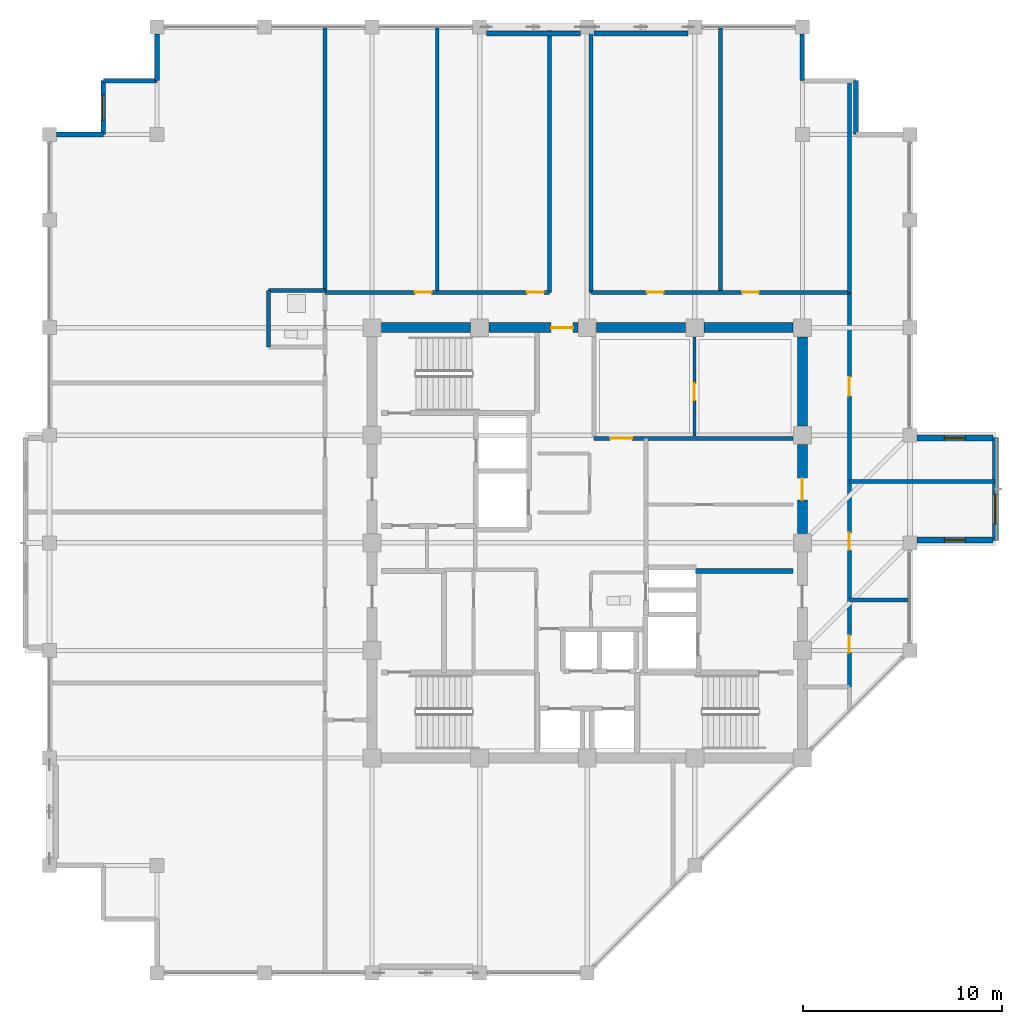
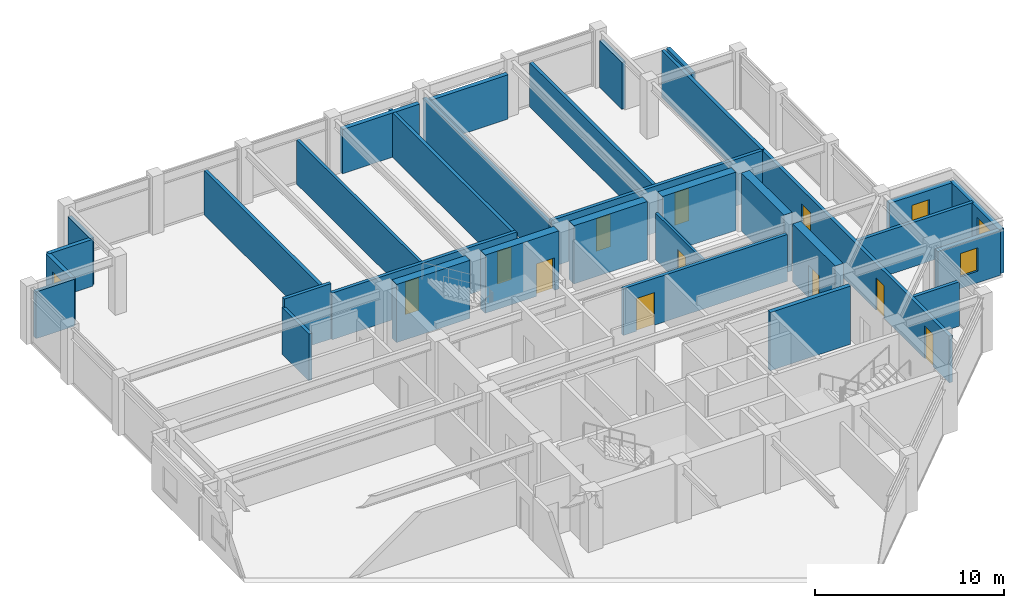
# One storey, part 26 of 30: 33 walls, 11 doors, 4 windows, 15 openings.
"""IFC4 building model written with IfcOpenShell, lengths in metres."""

from ifc_helpers import new_model, si_unit, direction, frame, frame_2d, origin, place, context, subcontext, project, spatial, rectangle, extrude, material, layer, layer_set, type_object, element, fill, save


model = new_model("IFC4")

# Units and contexts
model_context = context("Model", 3, precision=1e-05, world=origin(), true_north=direction((0.0, 1.0)))
body_context = subcontext(model_context, "Body", "Model", "MODEL_VIEW")
ifc_project = project(units=[si_unit("LENGTHUNIT", "METRE"), si_unit("AREAUNIT", "SQUARE_METRE"), si_unit("VOLUMEUNIT", "CUBIC_METRE"), si_unit("PLANEANGLEUNIT", "RADIAN"), si_unit("MASSUNIT", "GRAM", prefix="KILO")], contexts=[model_context])

# Site, building, storey
site_placement = place(None, origin())
site = spatial("IfcSite", under=ifc_project, at=site_placement, CompositionType="ELEMENT")
building_placement = place(site_placement, origin())
building = spatial("IfcBuilding", under=site, at=building_placement, Name="Surkhivell Harbour Commons", CompositionType="ELEMENT")
storey_placement = place(building_placement, frame((0.0, 0.0, 303.75)))
storey = spatial("IfcBuildingStorey", under=building, at=storey_placement, Name="L79", CompositionType="ELEMENT", Elevation=303.75)

# Wall
ifc_material_1 = material(Name="Concrete C50/60", Category="concrete")
ifc_layer_1 = layer(ifc_material_1, 0.5)
ifc_layer_set_1 = layer_set([ifc_layer_1], Name="Concrete C50/60")
wall_type_1 = type_object("IfcWallType", Name="WAL-CORE-500", PredefinedType="SHEAR", material=ifc_layer_set_1)
wall_1_placement = place(storey_placement, frame((-10.340087890625, 10.800048828125, 0.0), z_axis=(0.0, 0.0, 1.0), x_axis=(1.0, 0.0, 0.0)))
element("IfcWall", 1, at=wall_1_placement, inside=storey, type_object=wall_type_1, Name="L79 Core Shear Wall North 1", PredefinedType="SHEAR", context=body_context, shape_type="SweptSolid", body=[
    extrude(rectangle(XDim=4.47998046875, YDim=0.5, at=frame_2d((2.239990234375, 0.0))), origin(), (0.0, 0.0, 1.0), 3.75),
])

# Wall, opening, door
wall_2_placement = place(storey_placement, frame((-4.93994140625, 10.800048828125, 0.0), z_axis=(0.0, 0.0, 1.0), x_axis=(1.0, 0.0, 0.0)))
wall_2 = element("IfcWall", 2, at=wall_2_placement, inside=storey, type_object=wall_type_1, Name="L79 Core Shear Wall North 2", PredefinedType="SHEAR", context=body_context, shape_type="SweptSolid", body=[
    extrude(rectangle(XDim=4.47998046875, YDim=0.5, at=frame_2d((2.239990234375, 0.0))), origin(), (0.0, 0.0, 1.0), 3.75),
])
opening_1_placement = place(wall_2_placement, frame((3.1298828125, 0.0, 0.0)))
opening_1 = element("IfcOpeningElement", 3, at=opening_1_placement, cuts=wall_2, Name="Opening ID-2", PredefinedType="OPENING", context=body_context, shape_type="SweptSolid", body=[
    extrude(rectangle(XDim=1.10009765625, YDim=2.10009765625, at=frame_2d((0.550048828125, 1.050048828125))), frame((0.0, 0.260009765625, 0.0), z_axis=(0.0, -1.0, 0.0), x_axis=(1.0, 0.0, 0.0)), (0.0, 0.0, 1.0), 0.52001953125),
])
ifc_material_2 = material(Name="Hardwood-veneered fire-rated door leaf", Category="wood")
door_type_1 = type_object("IfcDoorType", Name="DOR-FD60-1100", OperationType="NOTDEFINED", PredefinedType="DOOR", material=ifc_material_2)
door_1_placement = place(opening_1_placement, origin())
door_1 = element("IfcDoor", 4, at=door_1_placement, inside=storey, type_object=door_type_1, Name="L79 Central Core Lift Hall North Corridor Door", OperationType="SINGLE_SWING_LEFT", OverallHeight=2.10009765625, OverallWidth=1.10009765625, PredefinedType="DOOR", context=body_context, shape_type="SweptSolid", body=[
    extrude(rectangle(XDim=1.10009765625, YDim=2.10009765625, at=frame_2d((0.550048828125, 1.050048828125))), frame((0.0, 0.02490234375, 0.0), z_axis=(0.0, -1.0, 0.0), x_axis=(1.0, 0.0, 0.0)), (0.0, 0.0, 1.0), 0.050048828125),
])
fill(opening_1, door_1)

# Wall
wall_3_placement = place(storey_placement, frame((0.4599609375, 10.800048828125, 0.0), z_axis=(0.0, 0.0, 1.0), x_axis=(1.0, 0.0, 0.0)))
element("IfcWall", 5, at=wall_3_placement, inside=storey, type_object=wall_type_1, Name="L79 Core Shear Wall North 3", PredefinedType="SHEAR", context=body_context, shape_type="SweptSolid", body=[
    extrude(rectangle(XDim=4.47998046875, YDim=0.5, at=frame_2d((2.239990234375, 0.0))), origin(), (0.0, 0.0, 1.0), 3.75),
])

# Wall, opening, door
wall_4_placement = place(storey_placement, frame((10.800048828125, 0.4599609375, 0.0), z_axis=(0.0, 0.0, 1.0), x_axis=(0.0, 1.0, 0.0)))
wall_4 = element("IfcWall", 6, at=wall_4_placement, inside=storey, type_object=wall_type_1, Name="L79 Core Shear Wall East 3", PredefinedType="SHEAR", context=body_context, shape_type="SweptSolid", body=[
    extrude(rectangle(XDim=4.47998046875, YDim=0.5, at=frame_2d((2.239990234375, 0.0))), origin(), (0.0, 0.0, 1.0), 3.75),
])
opening_2_placement = place(wall_4_placement, frame((1.68994140625, 0.0, 0.0)))
opening_2 = element("IfcOpeningElement", 7, at=opening_2_placement, cuts=wall_4, Name="Opening ID-2", PredefinedType="OPENING", context=body_context, shape_type="SweptSolid", body=[
    extrude(rectangle(XDim=1.10009765625, YDim=2.10009765625, at=frame_2d((0.550048828125, 1.050048828125))), frame((0.0, 0.260009765625, 0.0), z_axis=(0.0, -1.0, 0.0), x_axis=(1.0, 0.0, 0.0)), (0.0, 0.0, 1.0), 0.52001953125),
])
door_2_placement = place(opening_2_placement, origin())
door_2 = element("IfcDoor", 8, at=door_2_placement, inside=storey, type_object=door_type_1, Name="L79 Media Lounge East Door", OperationType="SINGLE_SWING_RIGHT", OverallHeight=2.10009765625, OverallWidth=1.10009765625, PredefinedType="DOOR", context=body_context, shape_type="SweptSolid", body=[
    extrude(rectangle(XDim=1.10009765625, YDim=2.10009765625, at=frame_2d((0.550048828125, 1.050048828125))), frame((0.0, 0.02490234375, 0.0), z_axis=(0.0, -1.0, 0.0), x_axis=(1.0, 0.0, 0.0)), (0.0, 0.0, 1.0), 0.050048828125),
])
fill(opening_2, door_2)

# Walls
for number, where, z_axis, x_axis, name in (
    (9, (5.860107421875, 10.800048828125, 0.0), (0.0, 0.0, 1.0), (1.0, 0.0, 0.0), "L79 Core Shear Wall North 4"),
    (10, (10.800048828125, 5.860107421875, 0.0), (0.0, 0.0, 1.0), (0.0, 1.0, 0.0), "L79 Core Shear Wall East 4"),
):
    element("IfcWall", number, at=place(storey_placement, frame(where, z_axis=z_axis, x_axis=x_axis)), inside=storey, type_object=wall_type_1, Name=name, PredefinedType="SHEAR", context=body_context, shape_type="SweptSolid", body=[
        extrude(rectangle(XDim=4.47998046875, YDim=0.5, at=frame_2d((2.239990234375, 0.0))), origin(), (0.0, 0.0, 1.0), 3.75),
    ])

# Wall, opening, window
ifc_material_3 = material(Name="Flemish-bond kiln brick and precast concrete C45/55", Category="masonry")
ifc_layer_2 = layer(ifc_material_3, 0.300048828125)
ifc_layer_set_2 = layer_set([ifc_layer_2], Name="Flemish-bond kiln brick and precast concrete C45/55")
wall_type_2 = type_object("IfcWallType", Name="WAL-EXT-BRK300", PredefinedType="STANDARD", material=ifc_layer_set_2)
wall_5_placement = place(storey_placement, frame((20.5, 0.1201171875, 0.0), z_axis=(0.0, 0.0, 1.0), x_axis=(0.0, 1.0, 0.0)))
wall_5 = element("IfcWall", 11, at=wall_5_placement, inside=storey, type_object=wall_type_2, Name="L79 Coloured Box Front Wall 01", PredefinedType="STANDARD", context=body_context, shape_type="SweptSolid", body=[
    extrude(rectangle(XDim=5.159912109375, YDim=0.300048828125, at=frame_2d((2.580078125, 0.0))), origin(), (0.0, 0.0, 1.0), 2.85693359375),
])
opening_3_placement = place(wall_5_placement, frame((0.81494140625, 0.0, 0.75)))
opening_3 = element("IfcOpeningElement", 12, at=opening_3_placement, cuts=wall_5, Name="Opening WN-13", PredefinedType="OPENING", context=body_context, shape_type="SweptSolid", body=[
    extrude(rectangle(XDim=1.5, YDim=1.5, at=frame_2d((0.75, 0.75))), frame((0.0, 0.159912109375, 0.0), z_axis=(0.0, -1.0, 0.0), x_axis=(1.0, 0.0, 0.0)), (0.0, 0.0, 1.0), 0.320068359375),
])
ifc_material_4 = material(Name="Thermal-break aluminium frame and double low-E glazing", Category="aluminium")
window_type_1 = type_object("IfcWindowType", Name="WIN-BOX-1500x1500", PartitioningType="SINGLE_PANEL", PredefinedType="WINDOW", material=ifc_material_4)
window_1_placement = place(opening_3_placement, origin())
window_1 = element("IfcWindow", 13, at=window_1_placement, inside=storey, type_object=window_type_1, Name="L79 Coloured Box Square Window 01-1", OverallHeight=1.5, OverallWidth=1.5, PartitioningType="SINGLE_PANEL", PredefinedType="WINDOW", context=body_context, shape_type="SweptSolid", body=[
    extrude(rectangle(XDim=1.5, YDim=1.5, at=frame_2d((0.75, 0.75))), frame((0.0, 0.030029296875, 0.0), z_axis=(0.0, -1.0, 0.0), x_axis=(1.0, 0.0, 0.0)), (0.0, 0.0, 1.0), 0.06005859375),
])
fill(opening_3, window_1)

wall_6_placement = place(storey_placement, frame((16.553955078125, 0.139892578125, 0.0), z_axis=(0.0, 0.0, 1.0), x_axis=(1.0, 0.0, 0.0)))
wall_6 = element("IfcWall", 14, at=wall_6_placement, inside=storey, type_object=wall_type_2, Name="L79 Coloured Box Return Wall 01S", PredefinedType="STANDARD", context=body_context, shape_type="SweptSolid", body=[
    extrude(rectangle(XDim=3.80615234375, YDim=0.300048828125, at=frame_2d((1.903076171875, 0.0))), origin(), (0.0, 0.0, 1.0), 2.85693359375),
])
opening_4_placement = place(wall_6_placement, frame((1.3779296875, 0.0, 0.75)))
opening_4 = element("IfcOpeningElement", 15, at=opening_4_placement, cuts=wall_6, Name="Opening WN-11", PredefinedType="OPENING", context=body_context, shape_type="SweptSolid", body=[
    extrude(rectangle(XDim=1.050048828125, YDim=1.5, at=frame_2d((0.52490234375, 0.75))), frame((0.0, 0.159912109375, 0.0), z_axis=(0.0, -1.0, 0.0), x_axis=(1.0, 0.0, 0.0)), (0.0, 0.0, 1.0), 0.320068359375),
])
window_type_2 = type_object("IfcWindowType", Name="WIN-SER-1050x1500", PartitioningType="SINGLE_PANEL", PredefinedType="WINDOW", material=ifc_material_4)
window_2_placement = place(opening_4_placement, origin())
window_2 = element("IfcWindow", 16, at=window_2_placement, inside=storey, type_object=window_type_2, Name="L79 Coloured Box Return Window 01S", OverallHeight=1.5, OverallWidth=1.050048828125, PartitioningType="SINGLE_PANEL", PredefinedType="WINDOW", context=body_context, shape_type="SweptSolid", body=[
    extrude(rectangle(XDim=1.050048828125, YDim=1.5, at=frame_2d((0.52490234375, 0.75))), frame((0.0, 0.030029296875, 0.0), z_axis=(0.0, -1.0, 0.0), x_axis=(1.0, 0.0, 0.0)), (0.0, 0.0, 1.0), 0.06005859375),
])
fill(opening_4, window_2)

wall_7_placement = place(storey_placement, frame((16.553955078125, 5.260009765625, 0.0), z_axis=(0.0, 0.0, 1.0), x_axis=(1.0, 0.0, 0.0)))
wall_7 = element("IfcWall", 17, at=wall_7_placement, inside=storey, type_object=wall_type_2, Name="L79 Coloured Box Return Wall 01N", PredefinedType="STANDARD", context=body_context, shape_type="SweptSolid", body=[
    extrude(rectangle(XDim=3.80615234375, YDim=0.300048828125, at=frame_2d((1.903076171875, 0.0))), origin(), (0.0, 0.0, 1.0), 2.85693359375),
])
opening_5_placement = place(wall_7_placement, frame((1.3779296875, 0.0, 0.75)))
opening_5 = element("IfcOpeningElement", 18, at=opening_5_placement, cuts=wall_7, Name="Opening WN-11", PredefinedType="OPENING", context=body_context, shape_type="SweptSolid", body=[
    extrude(rectangle(XDim=1.050048828125, YDim=1.5, at=frame_2d((0.52490234375, 0.75))), frame((0.0, 0.159912109375, 0.0), z_axis=(0.0, -1.0, 0.0), x_axis=(1.0, 0.0, 0.0)), (0.0, 0.0, 1.0), 0.320068359375),
])
window_3_placement = place(opening_5_placement, origin())
window_3 = element("IfcWindow", 19, at=window_3_placement, inside=storey, type_object=window_type_2, Name="L79 Coloured Box Return Window 01N", OverallHeight=1.5, OverallWidth=1.050048828125, PartitioningType="SINGLE_PANEL", PredefinedType="WINDOW", context=body_context, shape_type="SweptSolid", body=[
    extrude(rectangle(XDim=1.050048828125, YDim=1.5, at=frame_2d((0.52490234375, 0.75))), frame((0.0, 0.030029296875, 0.0), z_axis=(0.0, -1.0, 0.0), x_axis=(1.0, 0.0, 0.0)), (0.0, 0.0, 1.0), 0.06005859375),
])
fill(opening_5, window_3)

# Walls
ifc_material_5 = material(Name="Pale-metal insulated precast concrete C45/55", Category="concrete")
ifc_layer_3 = layer(ifc_material_5, 0.260009765625)
ifc_layer_set_3 = layer_set([ifc_layer_3], Name="Pale-metal insulated precast concrete C45/55")
wall_type_3 = type_object("IfcWallType", Name="WAL-EXT-MTL260", PredefinedType="STANDARD", material=ifc_layer_set_3)
for number, where, z_axis, x_axis, name in (
    (20, (-0.347900390625, 25.56494140625, 0.0), (0.0, 0.0, 1.0), (-1.0, 0.0, 0.0), "L79 Braced-Bay Insulated Spandrel Backing N"),
    (21, (5.052001953125, 25.56494140625, 0.0), (0.0, 0.0, 1.0), (-1.0, 0.0, 0.0), "L79 Braced-Bay Insulated Spandrel Backing N2"),
):
    element("IfcWall", number, at=place(storey_placement, frame(where, z_axis=z_axis, x_axis=x_axis)), inside=storey, type_object=wall_type_3, Name=name, PredefinedType="STANDARD", context=body_context, shape_type="SweptSolid", body=[
        extrude(rectangle(XDim=4.7041015625, YDim=0.260009765625, at=frame_2d((2.35205078125, 0.0))), origin(), (0.0, 0.0, 1.0), 2.85693359375),
    ])
ifc_material_6 = material(Name="Bronze-ochre cassette precast concrete C45/55", Category="concrete")
ifc_layer_4 = layer(ifc_material_6, 0.239990234375)
ifc_layer_set_4 = layer_set([ifc_layer_4], Name="Bronze-ochre cassette precast concrete C45/55")
wall_type_4 = type_object("IfcWallType", Name="WAL-EXT-OCH240", PredefinedType="STANDARD", material=ifc_layer_set_4)
wall_8_placement = place(storey_placement, frame((13.5, 20.5, 0.0), z_axis=(0.0, 0.0, 1.0), x_axis=(0.0, 1.0, 0.0)))
element("IfcWall", 22, at=wall_8_placement, inside=storey, type_object=wall_type_4, Name="L79 Serrated Corner Facade Wall 04", PredefinedType="STANDARD", context=body_context, shape_type="SweptSolid", body=[
    extrude(rectangle(XDim=2.699951171875, YDim=0.239990234375, at=frame_2d((1.35009765625, 0.0))), origin(), (0.0, 0.0, 1.0), 3.012939453125),
])
for number, where, z_axis, x_axis, name in (
    (23, (10.800048828125, 23.199951171875, 0.0), (0.0, 0.0, 1.0), (0.0, 1.0, 0.0), "L79 Serrated Corner Facade Wall 06"),
    (24, (-21.60009765625, 25.552001953125, 0.0), (0.0, 0.0, 1.0), (0.0, -1.0, 0.0), "L79 Serrated Corner Facade Wall 08"),
):
    element("IfcWall", number, at=place(storey_placement, frame(where, z_axis=z_axis, x_axis=x_axis)), inside=storey, type_object=wall_type_4, Name=name, PredefinedType="STANDARD", context=body_context, shape_type="SweptSolid", body=[
        extrude(rectangle(XDim=2.35205078125, YDim=0.239990234375, at=frame_2d((1.176025390625, 0.0))), origin(), (0.0, 0.0, 1.0), 3.012939453125),
    ])
wall_9_placement = place(storey_placement, frame((-21.60009765625, 23.199951171875, 0.0), z_axis=(0.0, 0.0, 1.0), x_axis=(-1.0, 0.0, 0.0)))
element("IfcWall", 25, at=wall_9_placement, inside=storey, type_object=wall_type_4, Name="L79 Serrated Corner Facade Wall 09", PredefinedType="STANDARD", context=body_context, shape_type="SweptSolid", body=[
    extrude(rectangle(XDim=2.699951171875, YDim=0.239990234375, at=frame_2d((1.35009765625, 0.0))), origin(), (0.0, 0.0, 1.0), 3.012939453125),
])

# Wall, opening, window
wall_10_placement = place(storey_placement, frame((-24.300048828125, 23.199951171875, 0.0), z_axis=(0.0, 0.0, 1.0), x_axis=(0.0, -1.0, 0.0)))
wall_10 = element("IfcWall", 26, at=wall_10_placement, inside=storey, type_object=wall_type_4, Name="L79 Serrated Corner Facade Wall 10", PredefinedType="STANDARD", context=body_context, shape_type="SweptSolid", body=[
    extrude(rectangle(XDim=2.699951171875, YDim=0.239990234375, at=frame_2d((1.35009765625, 0.0))), origin(), (0.0, 0.0, 1.0), 3.012939453125),
])
opening_6_placement = place(wall_10_placement, frame((0.72509765625, 0.0, 0.64990234375)))
opening_6 = element("IfcOpeningElement", 27, at=opening_6_placement, cuts=wall_10, Name="Opening WN-09", PredefinedType="OPENING", context=body_context, shape_type="SweptSolid", body=[
    extrude(rectangle(XDim=1.25, YDim=1.60009765625, at=frame_2d((0.625, 0.800048828125))), frame((0.0, 0.1298828125, 0.0), z_axis=(0.0, -1.0, 0.0), x_axis=(1.0, 0.0, 0.0)), (0.0, 0.0, 1.0), 0.260009765625),
])
window_type_3 = type_object("IfcWindowType", Name="WIN-SER-1250x1600", PartitioningType="SINGLE_PANEL", PredefinedType="WINDOW", material=ifc_material_4)
window_4_placement = place(opening_6_placement, origin())
window_4 = element("IfcWindow", 28, at=window_4_placement, inside=storey, type_object=window_type_3, Name="L79 Serrated Alcove Window 10", OverallHeight=1.60009765625, OverallWidth=1.25, PartitioningType="SINGLE_PANEL", PredefinedType="WINDOW", context=body_context, shape_type="SweptSolid", body=[
    extrude(rectangle(XDim=1.25, YDim=1.60009765625, at=frame_2d((0.625, 0.800048828125))), frame((0.0, 0.030029296875, 0.0), z_axis=(0.0, -1.0, 0.0), x_axis=(1.0, 0.0, 0.0)), (0.0, 0.0, 1.0), 0.06005859375),
])
fill(opening_6, window_4)

# Wall
wall_11_placement = place(storey_placement, frame((-24.300048828125, 20.5, 0.0), z_axis=(0.0, 0.0, 1.0), x_axis=(-1.0, 0.0, 0.0)))
element("IfcWall", 29, at=wall_11_placement, inside=storey, type_object=wall_type_4, Name="L79 Serrated Corner Facade Wall 11", PredefinedType="STANDARD", context=body_context, shape_type="SweptSolid", body=[
    extrude(rectangle(XDim=2.35205078125, YDim=0.239990234375, at=frame_2d((1.176025390625, 0.0))), origin(), (0.0, 0.0, 1.0), 3.012939453125),
])

# Wall, opening, door
ifc_material_7 = material(Name="Twin-stud acoustic fireboard partition", Category="other")
ifc_layer_5 = layer(ifc_material_7, 0.14990234375)
ifc_layer_set_5 = layer_set([ifc_layer_5], Name="Twin-stud acoustic fireboard partition")
wall_type_5 = type_object("IfcWallType", Name="WAL-INT-150", PredefinedType="PARTITIONING", material=ifc_layer_set_5)
wall_12_placement = place(storey_placement, frame((5.3798828125, 5.360107421875, 0.0), z_axis=(0.0, 0.0, 1.0), x_axis=(0.0, 1.0, 0.0)))
wall_12 = element("IfcWall", 30, at=wall_12_placement, inside=storey, type_object=wall_type_5, Name="L79 Core Library Divider", PredefinedType="PARTITIONING", context=body_context, shape_type="SweptSolid", body=[
    extrude(rectangle(XDim=4.97998046875, YDim=0.14990234375, at=frame_2d((2.489990234375, 0.0))), origin(), (0.0, 0.0, 1.0), 3.012939453125),
])
opening_7_placement = place(wall_12_placement, frame((1.800048828125, 0.0, 0.0)))
opening_7 = element("IfcOpeningElement", 31, at=opening_7_placement, cuts=wall_12, Name="Opening ID-6", PredefinedType="OPENING", context=body_context, shape_type="SweptSolid", body=[
    extrude(rectangle(XDim=0.85009765625, YDim=2.10009765625, at=frame_2d((0.425048828125, 1.050048828125))), frame((0.0, 0.0849609375, 0.0), z_axis=(0.0, -1.0, 0.0), x_axis=(1.0, 0.0, 0.0)), (0.0, 0.0, 1.0), 0.169921875),
])
door_type_2 = type_object("IfcDoorType", Name="DOR-FD30-850", OperationType="NOTDEFINED", PredefinedType="DOOR", material=ifc_material_2)
door_3_placement = place(opening_7_placement, origin())
door_3 = element("IfcDoor", 32, at=door_3_placement, inside=storey, type_object=door_type_2, Name="L79 Core Reading Door", OperationType="SINGLE_SWING_RIGHT", OverallHeight=2.10009765625, OverallWidth=0.85009765625, PredefinedType="DOOR", context=body_context, shape_type="SweptSolid", body=[
    extrude(rectangle(XDim=0.85009765625, YDim=2.10009765625, at=frame_2d((0.425048828125, 1.050048828125))), frame((0.0, 0.02490234375, 0.0), z_axis=(0.0, -1.0, 0.0), x_axis=(1.0, 0.0, 0.0)), (0.0, 0.0, 1.0), 0.050048828125),
])
fill(opening_7, door_3)

# Wall
ifc_material_8 = material(Name="High-density acoustic blockwork fire partition", Category="masonry")
ifc_layer_6 = layer(ifc_material_8, 0.175048828125)
ifc_layer_set_6 = layer_set([ifc_layer_6], Name="High-density acoustic blockwork fire partition")
wall_type_6 = type_object("IfcWallType", Name="WAL-INT-175", PredefinedType="PARTITIONING", material=ifc_layer_set_6)
wall_13_placement = place(storey_placement, frame((-7.530029296875, 12.580078125, 0.0), z_axis=(0.0, 0.0, 1.0), x_axis=(0.0, 1.0, 0.0)))
element("IfcWall", 33, at=wall_13_placement, inside=storey, type_object=wall_type_6, Name="L79 North-West Partition P1", PredefinedType="PARTITIONING", context=body_context, shape_type="SweptSolid", body=[
    extrude(rectangle(XDim=13.260009765625, YDim=0.175048828125, at=frame_2d((6.6298828125, 0.0))), origin(), (0.0, 0.0, 1.0), 2.85693359375),
])

# Wall, opening, door
ifc_material_9 = material(Name="Autoclaved aerated concrete blockwork and fire plaster", Category="masonry")
ifc_layer_7 = layer(ifc_material_9, 0.199951171875)
ifc_layer_set_7 = layer_set([ifc_layer_7], Name="Autoclaved aerated concrete blockwork and fire plaster")
wall_type_7 = type_object("IfcWallType", Name="WAL-INT-200", PredefinedType="PARTITIONING", material=ifc_layer_set_7)
wall_14_placement = place(storey_placement, frame((0.35009765625, 5.239990234375, 0.0), z_axis=(0.0, 0.0, 1.0), x_axis=(1.0, 0.0, 0.0)))
wall_14 = element("IfcWall", 34, at=wall_14_placement, inside=storey, type_object=wall_type_7, Name="L79 Reclaimed Core North Bay South Wall", PredefinedType="PARTITIONING", context=body_context, shape_type="SweptSolid", body=[
    extrude(rectangle(XDim=9.989990234375, YDim=0.199951171875, at=frame_2d((4.9951171875, 0.0))), origin(), (0.0, 0.0, 1.0), 3.012939453125),
])
opening_8_placement = place(wall_14_placement, frame((0.800048828125, 0.0, 0.0)))
opening_8 = element("IfcOpeningElement", 35, at=opening_8_placement, cuts=wall_14, Name="Opening ID-2", PredefinedType="OPENING", context=body_context, shape_type="SweptSolid", body=[
    extrude(rectangle(XDim=1.10009765625, YDim=2.10009765625, at=frame_2d((0.550048828125, 1.050048828125))), frame((0.0, 0.10986328125, 0.0), z_axis=(0.0, -1.0, 0.0), x_axis=(1.0, 0.0, 0.0)), (0.0, 0.0, 1.0), 0.219970703125),
])
door_4_placement = place(opening_8_placement, origin())
door_4 = element("IfcDoor", 36, at=door_4_placement, inside=storey, type_object=door_type_1, Name="L79 Core Study Door", OperationType="SINGLE_SWING_LEFT", OverallHeight=2.10009765625, OverallWidth=1.10009765625, PredefinedType="DOOR", context=body_context, shape_type="SweptSolid", body=[
    extrude(rectangle(XDim=1.10009765625, YDim=2.10009765625, at=frame_2d((0.550048828125, 1.050048828125))), frame((0.0, 0.02490234375, 0.0), z_axis=(0.0, -1.0, 0.0), x_axis=(1.0, 0.0, 0.0)), (0.0, 0.0, 1.0), 0.050048828125),
])
fill(opening_8, door_4)

# Walls
wall_15_placement = place(storey_placement, frame((13.159912109375, 12.580078125, 0.0), z_axis=(0.0, 0.0, 1.0), x_axis=(0.0, 1.0, 0.0)))
element("IfcWall", 37, at=wall_15_placement, inside=storey, type_object=wall_type_7, Name="L79 North-East Corner Wall", PredefinedType="PARTITIONING", context=body_context, shape_type="SweptSolid", body=[
    extrude(rectangle(XDim=10.559814453125, YDim=0.199951171875, at=frame_2d((5.27978515625, 0.0))), origin(), (0.0, 0.0, 1.0), 3.012939453125),
])
wall_16_placement = place(storey_placement, frame((-13.159912109375, 12.580078125, 0.0), z_axis=(0.0, 0.0, 1.0), x_axis=(0.0, 1.0, 0.0)))
element("IfcWall", 38, at=wall_16_placement, inside=storey, type_object=wall_type_7, Name="L79 North-West Corner Wall", PredefinedType="PARTITIONING", context=body_context, shape_type="SweptSolid", body=[
    extrude(rectangle(XDim=13.260009765625, YDim=0.199951171875, at=frame_2d((6.6298828125, 0.0))), origin(), (0.0, 0.0, 1.0), 2.85693359375),
])

# Wall, openings, doors
wall_17_placement = place(storey_placement, frame((13.159912109375, -7.239990234375, 0.0), z_axis=(0.0, 0.0, 1.0), x_axis=(0.0, 1.0, 0.0)))
wall_17 = element("IfcWall", 39, at=wall_17_placement, inside=storey, type_object=wall_type_7, Name="L79 East Corridor Wall", PredefinedType="PARTITIONING", context=body_context, shape_type="SweptSolid", body=[
    extrude(rectangle(XDim=19.820068359375, YDim=0.199951171875, at=frame_2d((9.91015625, 0.0))), origin(), (0.0, 0.0, 1.0), 3.012939453125),
])
opening_9_placement = place(wall_17_placement, frame((1.72998046875, 0.0, 0.0)))
opening_9 = element("IfcOpeningElement", 40, at=opening_9_placement, cuts=wall_17, Name="Opening ID-6", PredefinedType="OPENING", context=body_context, shape_type="SweptSolid", body=[
    extrude(rectangle(XDim=0.85009765625, YDim=2.10009765625, at=frame_2d((0.425048828125, 1.050048828125))), frame((0.0, 0.10986328125, 0.0), z_axis=(0.0, -1.0, 0.0), x_axis=(1.0, 0.0, 0.0)), (0.0, 0.0, 1.0), 0.219970703125),
])
opening_10_placement = place(wall_17_placement, frame((6.885009765625, 0.0, 0.0)))
opening_10 = element("IfcOpeningElement", 41, at=opening_10_placement, cuts=wall_17, Name="Opening ID-6", PredefinedType="OPENING", context=body_context, shape_type="SweptSolid", body=[
    extrude(rectangle(XDim=0.85009765625, YDim=2.10009765625, at=frame_2d((0.425048828125, 1.050048828125))), frame((0.0, 0.10986328125, 0.0), z_axis=(0.0, -1.0, 0.0), x_axis=(1.0, 0.0, 0.0)), (0.0, 0.0, 1.0), 0.219970703125),
])
opening_11_placement = place(wall_17_placement, frame((14.614990234375, 0.0, 0.0)))
opening_11 = element("IfcOpeningElement", 42, at=opening_11_placement, cuts=wall_17, Name="Opening ID-4", PredefinedType="OPENING", context=body_context, shape_type="SweptSolid", body=[
    extrude(rectangle(XDim=0.949951171875, YDim=2.10009765625, at=frame_2d((0.47509765625, 1.050048828125))), frame((0.0, 0.10986328125, 0.0), z_axis=(0.0, -1.0, 0.0), x_axis=(1.0, 0.0, 0.0)), (0.0, 0.0, 1.0), 0.219970703125),
])
door_5_placement = place(opening_9_placement, origin())
door_5 = element("IfcDoor", 43, at=door_5_placement, inside=storey, type_object=door_type_2, Name="L79 Co-Working Study Office 1 East Door", OperationType="SINGLE_SWING_RIGHT", OverallHeight=2.10009765625, OverallWidth=0.85009765625, PredefinedType="DOOR", context=body_context, shape_type="SweptSolid", body=[
    extrude(rectangle(XDim=0.85009765625, YDim=2.10009765625, at=frame_2d((0.425048828125, 1.050048828125))), frame((0.0, 0.02490234375, 0.0), z_axis=(0.0, -1.0, 0.0), x_axis=(1.0, 0.0, 0.0)), (0.0, 0.0, 1.0), 0.050048828125),
])
fill(opening_9, door_5)
door_6_placement = place(opening_10_placement, origin())
door_6 = element("IfcDoor", 44, at=door_6_placement, inside=storey, type_object=door_type_2, Name="L79 Co-Working Study Office 2 East Door", OperationType="SINGLE_SWING_LEFT", OverallHeight=2.10009765625, OverallWidth=0.85009765625, PredefinedType="DOOR", context=body_context, shape_type="SweptSolid", body=[
    extrude(rectangle(XDim=0.85009765625, YDim=2.10009765625, at=frame_2d((0.425048828125, 1.050048828125))), frame((0.0, 0.02490234375, 0.0), z_axis=(0.0, -1.0, 0.0), x_axis=(1.0, 0.0, 0.0)), (0.0, 0.0, 1.0), 0.050048828125),
])
fill(opening_10, door_6)
door_type_3 = type_object("IfcDoorType", Name="DOR-FD60-950", OperationType="NOTDEFINED", PredefinedType="DOOR", material=ifc_material_2)
door_7_placement = place(opening_11_placement, origin())
door_7 = element("IfcDoor", 45, at=door_7_placement, inside=storey, type_object=door_type_3, Name="L79 Co-Working Study Office 3 East Door", OperationType="SINGLE_SWING_RIGHT", OverallHeight=2.10009765625, OverallWidth=0.949951171875, PredefinedType="DOOR", context=body_context, shape_type="SweptSolid", body=[
    extrude(rectangle(XDim=0.949951171875, YDim=2.10009765625, at=frame_2d((0.47509765625, 1.050048828125))), frame((0.0, 0.02490234375, 0.0), z_axis=(0.0, -1.0, 0.0), x_axis=(1.0, 0.0, 0.0)), (0.0, 0.0, 1.0), 0.050048828125),
])
fill(opening_11, door_7)

wall_18_placement = place(storey_placement, frame((-13.159912109375, 12.580078125, 0.0), z_axis=(0.0, 0.0, 1.0), x_axis=(1.0, 0.0, 0.0)))
wall_18 = element("IfcWall", 46, at=wall_18_placement, inside=storey, type_object=wall_type_7, Name="L79 North-West Corridor Wall", PredefinedType="PARTITIONING", context=body_context, shape_type="SweptSolid", body=[
    extrude(rectangle(XDim=11.260009765625, YDim=0.199951171875, at=frame_2d((5.6298828125, 0.0))), origin(), (0.0, 0.0, 1.0), 3.012939453125),
])
opening_12_placement = place(wall_18_placement, frame((4.5, 0.0, 0.0)))
opening_12 = element("IfcOpeningElement", 47, at=opening_12_placement, cuts=wall_18, Name="Opening ID-6", PredefinedType="OPENING", context=body_context, shape_type="SweptSolid", body=[
    extrude(rectangle(XDim=0.85009765625, YDim=2.10009765625, at=frame_2d((0.425048828125, 1.050048828125))), frame((0.0, 0.10986328125, 0.0), z_axis=(0.0, -1.0, 0.0), x_axis=(1.0, 0.0, 0.0)), (0.0, 0.0, 1.0), 0.219970703125),
])
opening_13_placement = place(wall_18_placement, frame((10.1298828125, 0.0, 0.0)))
opening_13 = element("IfcOpeningElement", 48, at=opening_13_placement, cuts=wall_18, Name="Opening ID-6", PredefinedType="OPENING", context=body_context, shape_type="SweptSolid", body=[
    extrude(rectangle(XDim=0.85009765625, YDim=2.10009765625, at=frame_2d((0.425048828125, 1.050048828125))), frame((0.0, 0.10986328125, 0.0), z_axis=(0.0, -1.0, 0.0), x_axis=(1.0, 0.0, 0.0)), (0.0, 0.0, 1.0), 0.219970703125),
])
door_8_placement = place(opening_12_placement, origin())
door_8 = element("IfcDoor", 49, at=door_8_placement, inside=storey, type_object=door_type_2, Name="L79 Campus Co-Op Bookshop North-West Door", OperationType="SINGLE_SWING_RIGHT", OverallHeight=2.10009765625, OverallWidth=0.85009765625, PredefinedType="DOOR", context=body_context, shape_type="SweptSolid", body=[
    extrude(rectangle(XDim=0.85009765625, YDim=2.10009765625, at=frame_2d((0.425048828125, 1.050048828125))), frame((0.0, 0.02490234375, 0.0), z_axis=(0.0, -1.0, 0.0), x_axis=(1.0, 0.0, 0.0)), (0.0, 0.0, 1.0), 0.050048828125),
])
fill(opening_12, door_8)
door_9_placement = place(opening_13_placement, origin())
door_9 = element("IfcDoor", 50, at=door_9_placement, inside=storey, type_object=door_type_2, Name="L79 Harbour Espresso Cafe Shop North-West Door", OperationType="SINGLE_SWING_LEFT", OverallHeight=2.10009765625, OverallWidth=0.85009765625, PredefinedType="DOOR", context=body_context, shape_type="SweptSolid", body=[
    extrude(rectangle(XDim=0.85009765625, YDim=2.10009765625, at=frame_2d((0.425048828125, 1.050048828125))), frame((0.0, 0.02490234375, 0.0), z_axis=(0.0, -1.0, 0.0), x_axis=(1.0, 0.0, 0.0)), (0.0, 0.0, 1.0), 0.050048828125),
])
fill(opening_13, door_9)

wall_19_placement = place(storey_placement, frame((0.199951171875, 12.580078125, 0.0), z_axis=(0.0, 0.0, 1.0), x_axis=(1.0, 0.0, 0.0)))
wall_19 = element("IfcWall", 51, at=wall_19_placement, inside=storey, type_object=wall_type_7, Name="L79 North-East Corridor Wall", PredefinedType="PARTITIONING", context=body_context, shape_type="SweptSolid", body=[
    extrude(rectangle(XDim=12.9599609375, YDim=0.199951171875, at=frame_2d((6.47998046875, 0.0))), origin(), (0.0, 0.0, 1.0), 3.012939453125),
])
opening_14_placement = place(wall_19_placement, frame((2.7900390625, 0.0, 0.0)))
opening_14 = element("IfcOpeningElement", 52, at=opening_14_placement, cuts=wall_19, Name="Opening ID-6", PredefinedType="OPENING", context=body_context, shape_type="SweptSolid", body=[
    extrude(rectangle(XDim=0.85009765625, YDim=2.10009765625, at=frame_2d((0.425048828125, 1.050048828125))), frame((0.0, 0.10986328125, 0.0), z_axis=(0.0, -1.0, 0.0), x_axis=(1.0, 0.0, 0.0)), (0.0, 0.0, 1.0), 0.219970703125),
])
opening_15_placement = place(wall_19_placement, frame((7.5712890625, 0.0, 0.0)))
opening_15 = element("IfcOpeningElement", 53, at=opening_15_placement, cuts=wall_19, Name="Opening ID-6", PredefinedType="OPENING", context=body_context, shape_type="SweptSolid", body=[
    extrude(rectangle(XDim=0.85009765625, YDim=2.10009765625, at=frame_2d((0.425048828125, 1.050048828125))), frame((0.0, 0.10986328125, 0.0), z_axis=(0.0, -1.0, 0.0), x_axis=(1.0, 0.0, 0.0)), (0.0, 0.0, 1.0), 0.219970703125),
])
door_10_placement = place(opening_14_placement, origin())
door_10 = element("IfcDoor", 54, at=door_10_placement, inside=storey, type_object=door_type_2, Name="L79 Campus Co-Op Bookshop North-East Door", OperationType="SINGLE_SWING_RIGHT", OverallHeight=2.10009765625, OverallWidth=0.85009765625, PredefinedType="DOOR", context=body_context, shape_type="SweptSolid", body=[
    extrude(rectangle(XDim=0.85009765625, YDim=2.10009765625, at=frame_2d((0.425048828125, 1.050048828125))), frame((0.0, 0.02490234375, 0.0), z_axis=(0.0, -1.0, 0.0), x_axis=(1.0, 0.0, 0.0)), (0.0, 0.0, 1.0), 0.050048828125),
])
fill(opening_14, door_10)
door_11_placement = place(opening_15_placement, origin())
door_11 = element("IfcDoor", 55, at=door_11_placement, inside=storey, type_object=door_type_2, Name="L79 Harbour Espresso Cafe Shop North-East Door", OperationType="SINGLE_SWING_LEFT", OverallHeight=2.10009765625, OverallWidth=0.85009765625, PredefinedType="DOOR", context=body_context, shape_type="SweptSolid", body=[
    extrude(rectangle(XDim=0.85009765625, YDim=2.10009765625, at=frame_2d((0.425048828125, 1.050048828125))), frame((0.0, 0.02490234375, 0.0), z_axis=(0.0, -1.0, 0.0), x_axis=(1.0, 0.0, 0.0)), (0.0, 0.0, 1.0), 0.050048828125),
])
fill(opening_15, door_11)

# Walls
for number, where, z_axis, x_axis, name in (
    (56, (0.199951171875, 12.580078125, 0.0), (0.0, 0.0, 1.0), (0.0, 1.0, 0.0), "L79 North Spur East Wall"),
    (57, (-1.89990234375, 12.580078125, 0.0), (0.0, 0.0, 1.0), (0.0, 1.0, 0.0), "L79 North Spur West Wall"),
):
    element("IfcWall", number, at=place(storey_placement, frame(where, z_axis=z_axis, x_axis=x_axis)), inside=storey, type_object=wall_type_7, Name=name, PredefinedType="PARTITIONING", context=body_context, shape_type="SweptSolid", body=[
        extrude(rectangle(XDim=13.260009765625, YDim=0.199951171875, at=frame_2d((6.6298828125, 0.0))), origin(), (0.0, 0.0, 1.0), 2.85693359375),
    ])
wall_20_placement = place(storey_placement, frame((13.159912109375, -2.8798828125, 0.0), z_axis=(0.0, 0.0, 1.0), x_axis=(1.0, 0.0, 0.0)))
element("IfcWall", 58, at=wall_20_placement, inside=storey, type_object=wall_type_7, Name="L79 East Partition P1", PredefinedType="PARTITIONING", context=body_context, shape_type="SweptSolid", body=[
    extrude(rectangle(XDim=2.97998046875, YDim=0.199951171875, at=frame_2d((1.489990234375, 0.0))), origin(), (0.0, 0.0, 1.0), 2.85693359375),
])
wall_21_placement = place(storey_placement, frame((13.159912109375, 3.070068359375, 0.0), z_axis=(0.0, 0.0, 1.0), x_axis=(1.0, 0.0, 0.0)))
element("IfcWall", 59, at=wall_21_placement, inside=storey, type_object=wall_type_7, Name="L79 East Partition P2", PredefinedType="PARTITIONING", context=body_context, shape_type="SweptSolid", body=[
    extrude(rectangle(XDim=7.280029296875, YDim=0.199951171875, at=frame_2d((3.64013671875, 0.0))), origin(), (0.0, 0.0, 1.0), 2.85693359375),
])
wall_22_placement = place(storey_placement, frame((6.679931640625, 12.580078125, 0.0), z_axis=(0.0, 0.0, 1.0), x_axis=(0.0, 1.0, 0.0)))
element("IfcWall", 60, at=wall_22_placement, inside=storey, type_object=wall_type_7, Name="L79 North-East Partition P1", PredefinedType="PARTITIONING", context=body_context, shape_type="SweptSolid", body=[
    extrude(rectangle(XDim=13.260009765625, YDim=0.199951171875, at=frame_2d((6.6298828125, 0.0))), origin(), (0.0, 0.0, 1.0), 2.85693359375),
])
wall_23_placement = place(storey_placement, frame((-16.010009765625, 9.830078125, 0.0), z_axis=(0.0, 0.0, 1.0), x_axis=(0.0, 1.0, 0.0)))
element("IfcWall", 61, at=wall_23_placement, inside=storey, type_object=wall_type_7, Name="L79 West Partition BTHB", PredefinedType="PARTITIONING", context=body_context, shape_type="SweptSolid", body=[
    extrude(rectangle(XDim=2.849853515625, YDim=0.199951171875, at=frame_2d((1.4248046875, 0.0))), origin(), (0.0, 0.0, 1.0), 3.012939453125),
])
wall_24_placement = place(storey_placement, frame((-16.010009765625, 12.679931640625, 0.0), z_axis=(0.0, 0.0, 1.0), x_axis=(1.0, 0.0, 0.0)))
element("IfcWall", 62, at=wall_24_placement, inside=storey, type_object=wall_type_7, Name="L79 West Partition BTHN", PredefinedType="PARTITIONING", context=body_context, shape_type="SweptSolid", body=[
    extrude(rectangle(XDim=2.85009765625, YDim=0.199951171875, at=frame_2d((1.425048828125, 0.0))), origin(), (0.0, 0.0, 1.0), 3.570068359375),
])
ifc_layer_8 = layer(ifc_material_1, 0.25)
ifc_layer_set_8 = layer_set([ifc_layer_8], Name="Concrete C50/60")
wall_type_8 = type_object("IfcWallType", Name="WAL-SHAFT-250", PredefinedType="SHEAR", material=ifc_layer_set_8)
wall_25_placement = place(storey_placement, frame((5.43994140625, -1.419921875, 0.0), z_axis=(0.0, 0.0, 1.0), x_axis=(1.0, 0.0, 0.0)))
element("IfcWall", 63, at=wall_25_placement, inside=storey, type_object=wall_type_8, Name="L79 Firefighting Lobby 2 North Wall", PredefinedType="SHEAR", context=body_context, shape_type="SweptSolid", body=[
    extrude(rectangle(XDim=4.900146484375, YDim=0.25, at=frame_2d((2.4501953125, 0.0))), origin(), (0.0, 0.0, 1.0), 3.75),
])

save(model, "model.ifc")
